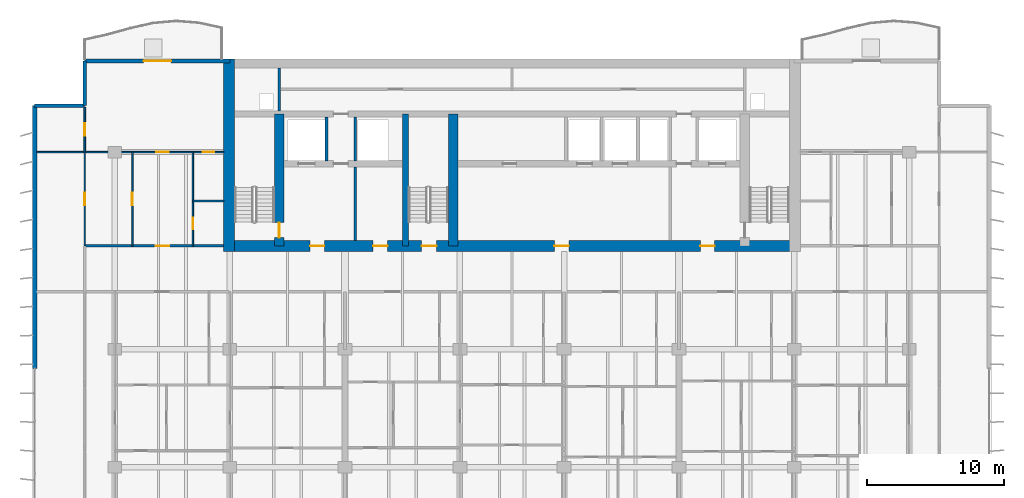
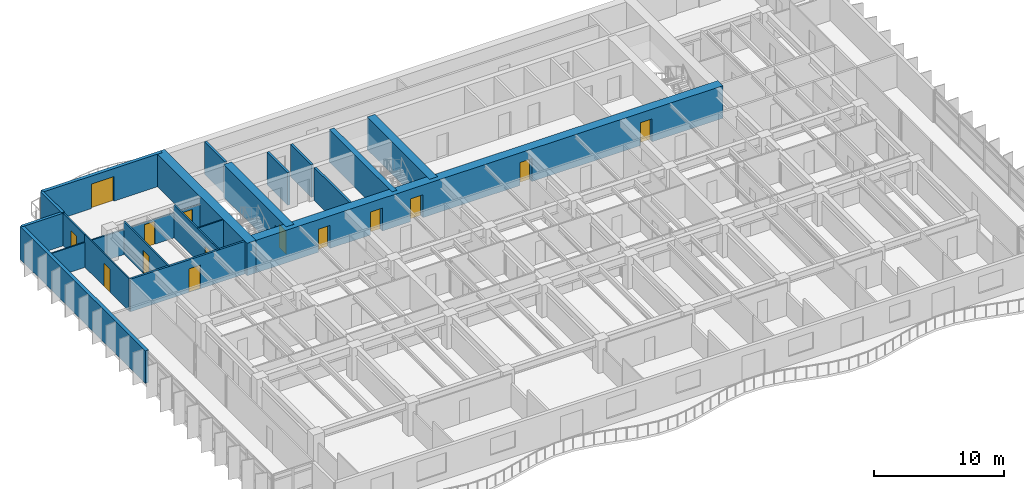
# One storey, part 12 of 19: 20 walls, 14 doors, 14 openings.
"""IFC4 building model written with IfcOpenShell, lengths in metres."""

from ifc_helpers import new_model, si_unit, direction, frame, frame_2d, origin, place, context, subcontext, project, spatial, rectangle, extrude, material, layer, layer_set, type_object, element, fill, save


model = new_model("IFC4")

# Units and contexts
model_context = context("Model", 3, precision=1e-05, world=origin(), true_north=direction((0.0, 1.0)))
body_context = subcontext(model_context, "Body", "Model", "MODEL_VIEW")
ifc_project = project(units=[si_unit("LENGTHUNIT", "METRE"), si_unit("AREAUNIT", "SQUARE_METRE"), si_unit("VOLUMEUNIT", "CUBIC_METRE"), si_unit("PLANEANGLEUNIT", "RADIAN"), si_unit("MASSUNIT", "GRAM", prefix="KILO")], contexts=[model_context])

# Site, building, storey
site_placement = place(None, origin())
site = spatial("IfcSite", under=ifc_project, at=site_placement, CompositionType="ELEMENT")
building_placement = place(site_placement, origin())
building = spatial("IfcBuilding", under=site, at=building_placement, Name="Caelmar Bay Residences", CompositionType="ELEMENT")
storey_placement = place(building_placement, frame((0.0, 0.0, 115.800048828125)))
storey = spatial("IfcBuildingStorey", under=building, at=storey_placement, Name="L31", CompositionType="ELEMENT", Elevation=115.800048828125)

# Wall, opening, door
ifc_material_1 = material(Name="Concrete f'c 55 MPa (8,000 psi)", Category="concrete")
ifc_layer_1 = layer(ifc_material_1, 0.699951171875)
ifc_layer_set_1 = layer_set([ifc_layer_1], Name="Concrete f'c 55 MPa (8,000 psi)")
wall_type_1 = type_object("IfcWallType", Name="SW-COR-700", PredefinedType="SHEAR", material=ifc_layer_set_1)
wall_1_placement = place(storey_placement, frame((21.89990234375, 36.949951171875, 0.0), z_axis=(0.0, 0.0, 1.0), x_axis=(0.0, 1.0, 0.0)))
wall_1 = element("IfcWall", 1, at=wall_1_placement, inside=storey, type_object=wall_type_1, Name="L31 Core Structural Web Wall ST1E", PredefinedType="SHEAR", context=body_context, shape_type="SweptSolid", body=[
    extrude(rectangle(XDim=9.625, YDim=0.699951171875, at=frame_2d((4.8125, 0.0))), origin(), (0.0, 0.0, 1.0), 3.050048828125),
])
opening_1_placement = place(wall_1_placement, frame((0.60009765625, 0.0, 0.0)))
opening_1 = element("IfcOpeningElement", 2, at=opening_1_placement, cuts=wall_1, Name="Opening D-L31-107", PredefinedType="OPENING", context=body_context, shape_type="SweptSolid", body=[
    extrude(rectangle(XDim=1.10009765625, YDim=2.14990234375, at=frame_2d((0.550048828125, 1.074951171875))), frame((0.0, 0.35986328125, 0.0), z_axis=(0.0, -1.0, 0.0), x_axis=(1.0, 0.0, 0.0)), (0.0, 0.0, 1.0), 0.719970703125),
])
ifc_material_2 = material(Name="Fire-rated steel and walnut architectural door assembly", Category="steel")
ifc_layer_2 = layer(ifc_material_2, 0.050048828125)
ifc_layer_set_2 = layer_set([ifc_layer_2], Name="Fire-rated steel and walnut architectural door assembly")
door_type_1 = type_object("IfcDoorType", Name="D-STAIR-1100", OperationType="NOTDEFINED", PredefinedType="DOOR", material=ifc_layer_set_2)
door_1_placement = place(opening_1_placement, origin())
door_1 = element("IfcDoor", 3, at=door_1_placement, inside=storey, type_object=door_type_1, Name="L31 Firefighting Lobby West Door", OperationType="SINGLE_SWING_RIGHT", OverallHeight=2.14990234375, OverallWidth=1.10009765625, PredefinedType="DOOR", context=body_context, shape_type="SweptSolid", body=[
    extrude(rectangle(XDim=1.10009765625, YDim=2.14990234375, at=frame_2d((0.550048828125, 1.074951171875))), frame((0.0, 0.02490234375, 0.0), z_axis=(0.0, -1.0, 0.0), x_axis=(1.0, 0.0, 0.0)), (0.0, 0.0, 1.0), 0.050048828125),
])
fill(opening_1, door_1)

# Wall
wall_2_placement = place(storey_placement, frame((34.60009765625, 36.949951171875, 0.0), z_axis=(0.0, 0.0, 1.0), x_axis=(0.0, 1.0, 0.0)))
element("IfcWall", 4, at=wall_2_placement, inside=storey, type_object=wall_type_1, Name="L31 Core Structural Web Wall ST3E", PredefinedType="SHEAR", context=body_context, shape_type="SweptSolid", body=[
    extrude(rectangle(XDim=9.625, YDim=0.699951171875, at=frame_2d((4.8125, 0.0))), origin(), (0.0, 0.0, 1.0), 3.050048828125),
])

# Wall, openings, doors
ifc_material_3 = material(Name="Concrete f'c 70 MPa (10,000 psi)", Category="concrete")
ifc_layer_3 = layer(ifc_material_3, 0.800048828125)
ifc_layer_set_3 = layer_set([ifc_layer_3], Name="Concrete f'c 70 MPa (10,000 psi)")
wall_type_2 = type_object("IfcWallType", Name="SW-COR-800", PredefinedType="SHEAR", material=ifc_layer_set_3)
wall_3_placement = place(storey_placement, frame((17.85009765625, 36.949951171875, 0.0), z_axis=(0.0, 0.0, 1.0), x_axis=(1.0, 0.0, 0.0)))
wall_3 = element("IfcWall", 5, at=wall_3_placement, inside=storey, type_object=wall_type_2, Name="L31 Rear Core South Shear Wall", PredefinedType="SHEAR", context=body_context, shape_type="SweptSolid", body=[
    extrude(rectangle(XDim=42.099853515625, YDim=0.800048828125, at=frame_2d((21.0498046875, 0.0))), origin(), (0.0, 0.0, 1.0), 3.050048828125),
])
opening_2_placement = place(wall_3_placement, frame((14.449951171875, 0.0, 0.0)))
opening_2 = element("IfcOpeningElement", 6, at=opening_2_placement, cuts=wall_3, Name="Opening D-L31-105", PredefinedType="OPENING", context=body_context, shape_type="SweptSolid", body=[
    extrude(rectangle(XDim=1.10009765625, YDim=2.14990234375, at=frame_2d((0.550048828125, 1.074951171875))), frame((0.0, 0.409912109375, 0.0), z_axis=(0.0, -1.0, 0.0), x_axis=(1.0, 0.0, 0.0)), (0.0, 0.0, 1.0), 0.820068359375),
])
opening_3_placement = place(wall_3_placement, frame((6.300048828125, 0.0, 0.0)))
opening_3 = element("IfcOpeningElement", 7, at=opening_3_placement, cuts=wall_3, Name="Opening D-L31-106", PredefinedType="OPENING", context=body_context, shape_type="SweptSolid", body=[
    extrude(rectangle(XDim=1.050048828125, YDim=2.14990234375, at=frame_2d((0.52490234375, 1.074951171875))), frame((0.0, 0.409912109375, 0.0), z_axis=(0.0, -1.0, 0.0), x_axis=(1.0, 0.0, 0.0)), (0.0, 0.0, 1.0), 0.820068359375),
])
opening_4_placement = place(wall_3_placement, frame((34.800048828125, 0.0, 0.0)))
opening_4 = element("IfcOpeningElement", 8, at=opening_4_placement, cuts=wall_3, Name="Opening D-L31-109", PredefinedType="OPENING", context=body_context, shape_type="SweptSolid", body=[
    extrude(rectangle(XDim=1.050048828125, YDim=2.14990234375, at=frame_2d((0.52490234375, 1.074951171875))), frame((0.0, 0.409912109375, 0.0), z_axis=(0.0, -1.0, 0.0), x_axis=(1.0, 0.0, 0.0)), (0.0, 0.0, 1.0), 0.820068359375),
])
opening_5_placement = place(wall_3_placement, frame((10.91259765625, 0.0, 0.0)))
opening_5 = element("IfcOpeningElement", 9, at=opening_5_placement, cuts=wall_3, Name="Opening D-L31-112", PredefinedType="OPENING", context=body_context, shape_type="SweptSolid", body=[
    extrude(rectangle(XDim=1.050048828125, YDim=2.14990234375, at=frame_2d((0.52490234375, 1.074951171875))), frame((0.0, 0.409912109375, 0.0), z_axis=(0.0, -1.0, 0.0), x_axis=(1.0, 0.0, 0.0)), (0.0, 0.0, 1.0), 0.820068359375),
])
opening_6_placement = place(wall_3_placement, frame((24.14990234375, 0.0, 0.0)))
opening_6 = element("IfcOpeningElement", 10, at=opening_6_placement, cuts=wall_3, Name="Opening D-L31-113", PredefinedType="OPENING", context=body_context, shape_type="SweptSolid", body=[
    extrude(rectangle(XDim=1.050048828125, YDim=2.14990234375, at=frame_2d((0.52490234375, 1.074951171875))), frame((0.0, 0.409912109375, 0.0), z_axis=(0.0, -1.0, 0.0), x_axis=(1.0, 0.0, 0.0)), (0.0, 0.0, 1.0), 0.820068359375),
])
ifc_layer_4 = layer(ifc_material_2, 0.050048828125)
ifc_layer_set_4 = layer_set([ifc_layer_4], Name="Fire-rated steel and walnut architectural door assembly")
door_type_2 = type_object("IfcDoorType", Name="D-FSAE-1050", OperationType="NOTDEFINED", PredefinedType="DOOR", material=ifc_layer_set_4)
door_2_placement = place(opening_3_placement, origin())
door_2 = element("IfcDoor", 11, at=door_2_placement, inside=storey, type_object=door_type_2, Name="L31 Firefighting Lobby West Door", OperationType="SINGLE_SWING_LEFT", OverallHeight=2.14990234375, OverallWidth=1.050048828125, PredefinedType="DOOR", context=body_context, shape_type="SweptSolid", body=[
    extrude(rectangle(XDim=1.050048828125, YDim=2.14990234375, at=frame_2d((0.52490234375, 1.074951171875))), frame((0.0, 0.02490234375, 0.0), z_axis=(0.0, -1.0, 0.0), x_axis=(1.0, 0.0, 0.0)), (0.0, 0.0, 1.0), 0.050048828125),
])
fill(opening_3, door_2)
door_3_placement = place(opening_4_placement, origin())
door_3 = element("IfcDoor", 12, at=door_3_placement, inside=storey, type_object=door_type_2, Name="L31 Firefighting Lobby East Door", OperationType="SINGLE_SWING_RIGHT", OverallHeight=2.14990234375, OverallWidth=1.050048828125, PredefinedType="DOOR", context=body_context, shape_type="SweptSolid", body=[
    extrude(rectangle(XDim=1.050048828125, YDim=2.14990234375, at=frame_2d((0.52490234375, 1.074951171875))), frame((0.0, 0.02490234375, 0.0), z_axis=(0.0, -1.0, 0.0), x_axis=(1.0, 0.0, 0.0)), (0.0, 0.0, 1.0), 0.050048828125),
])
fill(opening_4, door_3)
door_4_placement = place(opening_5_placement, origin())
door_4 = element("IfcDoor", 13, at=door_4_placement, inside=storey, type_object=door_type_2, Name="L31 West Lift Lobby Door", OperationType="SINGLE_SWING_LEFT", OverallHeight=2.14990234375, OverallWidth=1.050048828125, PredefinedType="DOOR", context=body_context, shape_type="SweptSolid", body=[
    extrude(rectangle(XDim=1.050048828125, YDim=2.14990234375, at=frame_2d((0.52490234375, 1.074951171875))), frame((0.0, 0.02490234375, 0.0), z_axis=(0.0, -1.0, 0.0), x_axis=(1.0, 0.0, 0.0)), (0.0, 0.0, 1.0), 0.050048828125),
])
fill(opening_5, door_4)
door_5_placement = place(opening_6_placement, origin())
door_5 = element("IfcDoor", 14, at=door_5_placement, inside=storey, type_object=door_type_2, Name="L31 Passenger Lift Lobby Door", OperationType="SINGLE_SWING_RIGHT", OverallHeight=2.14990234375, OverallWidth=1.050048828125, PredefinedType="DOOR", context=body_context, shape_type="SweptSolid", body=[
    extrude(rectangle(XDim=1.050048828125, YDim=2.14990234375, at=frame_2d((0.52490234375, 1.074951171875))), frame((0.0, 0.02490234375, 0.0), z_axis=(0.0, -1.0, 0.0), x_axis=(1.0, 0.0, 0.0)), (0.0, 0.0, 1.0), 0.050048828125),
])
fill(opening_6, door_5)
door_6_placement = place(opening_2_placement, origin())
door_6 = element("IfcDoor", 15, at=door_6_placement, inside=storey, type_object=door_type_1, Name="L31 Exit Stair ST3 Door", OperationType="SINGLE_SWING_RIGHT", OverallHeight=2.14990234375, OverallWidth=1.10009765625, PredefinedType="DOOR", context=body_context, shape_type="SweptSolid", body=[
    extrude(rectangle(XDim=1.10009765625, YDim=2.14990234375, at=frame_2d((0.550048828125, 1.074951171875))), frame((0.0, 0.02490234375, 0.0), z_axis=(0.0, -1.0, 0.0), x_axis=(1.0, 0.0, 0.0)), (0.0, 0.0, 1.0), 0.050048828125),
])
fill(opening_2, door_6)

# Walls
wall_4_placement = place(storey_placement, frame((18.25, 36.550048828125, 0.0), z_axis=(0.0, 0.0, 1.0), x_axis=(0.0, 1.0, 0.0)))
element("IfcWall", 16, at=wall_4_placement, inside=storey, type_object=wall_type_2, Name="L31 Rear Core West Shear Wall", PredefinedType="SHEAR", context=body_context, shape_type="SweptSolid", body=[
    extrude(rectangle(XDim=14.050048828125, YDim=0.800048828125, at=frame_2d((7.02490234375, 0.0))), origin(), (0.0, 0.0, 1.0), 3.050048828125),
])
ifc_layer_5 = layer(ifc_material_3, 0.449951171875)
ifc_layer_set_5 = layer_set([ifc_layer_5], Name="Concrete f'c 70 MPa (10,000 psi)")
wall_type_3 = type_object("IfcWallType", Name="SW-WEB-450", PredefinedType="SHEAR", material=ifc_layer_set_5)
wall_5_placement = place(storey_placement, frame((31.125, 36.949951171875, 0.0), z_axis=(0.0, 0.0, 1.0), x_axis=(0.0, 1.0, 0.0)))
element("IfcWall", 17, at=wall_5_placement, inside=storey, type_object=wall_type_3, Name="L31 Core Structural Web Wall ST3W", PredefinedType="SHEAR", context=body_context, shape_type="SweptSolid", body=[
    extrude(rectangle(XDim=9.625, YDim=0.449951171875, at=frame_2d((4.8125, 0.0))), origin(), (0.0, 0.0, 1.0), 3.050048828125),
])

# Wall, opening, door
ifc_material_4 = material(Name="Double-stud acoustic fire-rated gypsum partition 180 mm")
ifc_layer_6 = layer(ifc_material_4, 0.179931640625)
ifc_layer_set_6 = layer_set([ifc_layer_6], Name="Double-stud acoustic fire-rated gypsum partition 180 mm")
wall_type_4 = type_object("IfcWallType", Name="W-COR-200", PredefinedType="PARTITIONING", material=ifc_layer_set_6)
wall_6_placement = place(storey_placement, frame((7.699951171875, 36.949951171875, 0.0), z_axis=(0.0, 0.0, 1.0), x_axis=(1.0, 0.0, 0.0)))
wall_6 = element("IfcWall", 18, at=wall_6_placement, inside=storey, type_object=wall_type_4, Name="L31 Partition Wall H144", PredefinedType="PARTITIONING", context=body_context, shape_type="SweptSolid", body=[
    extrude(rectangle(XDim=10.14501953125, YDim=0.179931640625, at=frame_2d((5.072509765625, 0.0))), origin(), (0.0, 0.0, 1.0), 3.050048828125),
])
opening_7_placement = place(wall_6_placement, frame((5.18798828125, 0.0, 0.0)))
opening_7 = element("IfcOpeningElement", 19, at=opening_7_placement, cuts=wall_6, Name="Opening D-L31-165", PredefinedType="OPENING", context=body_context, shape_type="SweptSolid", body=[
    extrude(rectangle(XDim=1.0, YDim=2.199951171875, at=frame_2d((0.5, 1.10009765625))), frame((0.0, 0.099853515625, 0.0), z_axis=(0.0, -1.0, 0.0), x_axis=(1.0, 0.0, 0.0)), (0.0, 0.0, 1.0), 0.199951171875),
])
ifc_layer_7 = layer(ifc_material_2, 0.050048828125)
ifc_layer_set_7 = layer_set([ifc_layer_7], Name="Fire-rated steel and walnut architectural door assembly")
door_type_3 = type_object("IfcDoorType", Name="D-UNIT-1000", OperationType="NOTDEFINED", PredefinedType="DOOR", material=ifc_layer_set_7)
door_7_placement = place(opening_7_placement, origin())
door_7 = element("IfcDoor", 20, at=door_7_placement, inside=storey, type_object=door_type_3, Name="L31 Residence WA Kitchen Door", OperationType="SINGLE_SWING_RIGHT", OverallHeight=2.199951171875, OverallWidth=1.0, PredefinedType="DOOR", context=body_context, shape_type="SweptSolid", body=[
    extrude(rectangle(XDim=1.0, YDim=2.199951171875, at=frame_2d((0.5, 1.10009765625))), frame((0.0, 0.02490234375, 0.0), z_axis=(0.0, -1.0, 0.0), x_axis=(1.0, 0.0, 0.0)), (0.0, 0.0, 1.0), 0.050048828125),
])
fill(opening_7, door_7)

# Walls
ifc_material_5 = material(Name="Precast concrete f'c 40 MPa (6,000 psi)", Category="concrete")
ifc_layer_8 = layer(ifc_material_5, 0.25)
ifc_layer_set_8 = layer_set([ifc_layer_8], Name="Precast concrete f'c 40 MPa (6,000 psi)")
wall_type_5 = type_object("IfcWallType", Name="W-EXT-250", PredefinedType="ELEMENTEDWALL", material=ifc_layer_set_8)
wall_7_placement = place(storey_placement, frame((4.050048828125, 47.199951171875, 0.0), z_axis=(0.0, 0.0, 1.0), x_axis=(1.0, 0.0, 0.0)))
element("IfcWall", 21, at=wall_7_placement, inside=storey, type_object=wall_type_5, Name="L31 NNW-H Notch Wall", PredefinedType="ELEMENTEDWALL", context=body_context, shape_type="SweptSolid", body=[
    extrude(rectangle(XDim=3.64990234375, YDim=0.25, at=frame_2d((1.824951171875, 0.0))), origin(), (0.0, 0.0, 1.0), 3.050048828125),
])
wall_8_placement = place(storey_placement, frame((7.699951171875, 47.199951171875, 0.0), z_axis=(0.0, 0.0, 1.0), x_axis=(0.0, 1.0, 0.0)))
element("IfcWall", 22, at=wall_8_placement, inside=storey, type_object=wall_type_5, Name="L31 NNW-V Notch Wall", PredefinedType="ELEMENTEDWALL", context=body_context, shape_type="SweptSolid", body=[
    extrude(rectangle(XDim=3.25, YDim=0.25, at=frame_2d((1.625, 0.0))), origin(), (0.0, 0.0, 1.0), 3.050048828125),
])
ifc_layer_9 = layer(ifc_material_5, 0.300048828125)
ifc_layer_set_9 = layer_set([ifc_layer_9], Name="Precast concrete f'c 40 MPa (6,000 psi)")
wall_type_6 = type_object("IfcWallType", Name="W-EXT-300", PredefinedType="STANDARD", material=ifc_layer_set_9)
wall_9_placement = place(storey_placement, frame((4.050048828125, 28.0, 0.0), z_axis=(0.0, 0.0, 1.0), x_axis=(0.0, 1.0, 0.0)))
element("IfcWall", 23, at=wall_9_placement, inside=storey, type_object=wall_type_6, Name="L31 West Rear Exterior Wall", PredefinedType="STANDARD", context=body_context, shape_type="SweptSolid", body=[
    extrude(rectangle(XDim=19.199951171875, YDim=0.300048828125, at=frame_2d((9.60009765625, 0.0))), origin(), (0.0, 0.0, 1.0), 3.050048828125),
])

# Wall, opening, door
wall_10_placement = place(storey_placement, frame((7.699951171875, 50.449951171875, 0.0), z_axis=(0.0, 0.0, 1.0), x_axis=(1.0, 0.0, 0.0)))
wall_10 = element("IfcWall", 24, at=wall_10_placement, inside=storey, type_object=wall_type_6, Name="L31 North-West Wing Exterior Wall", PredefinedType="STANDARD", context=body_context, shape_type="SweptSolid", body=[
    extrude(rectangle(XDim=10.60009765625, YDim=0.300048828125, at=frame_2d((5.300048828125, 0.0))), origin(), (0.0, 0.0, 1.0), 3.050048828125),
])
opening_8_placement = place(wall_10_placement, frame((4.300048828125, 0.0, 0.0)))
opening_8 = element("IfcOpeningElement", 25, at=opening_8_placement, cuts=wall_10, Name="Opening L31-BDNW", PredefinedType="OPENING", context=body_context, shape_type="SweptSolid", body=[
    extrude(rectangle(XDim=2.0, YDim=2.300048828125, at=frame_2d((1.0, 1.14990234375))), frame((0.0, 0.159912109375, 0.0), z_axis=(0.0, -1.0, 0.0), x_axis=(1.0, 0.0, 0.0)), (0.0, 0.0, 1.0), 0.320068359375),
])
ifc_material_6 = material(Name="Anodised bronze thermally broken sliding glass door", Category="glass")
ifc_layer_10 = layer(ifc_material_6, 0.050048828125)
ifc_layer_set_10 = layer_set([ifc_layer_10], Name="Anodised bronze thermally broken sliding glass door")
door_type_4 = type_object("IfcDoorType", Name="D-BAL-2000", OperationType="DOUBLE_DOOR_SLIDING", PredefinedType="DOOR", material=ifc_layer_set_10)
door_8_placement = place(opening_8_placement, origin())
door_8 = element("IfcDoor", 26, at=door_8_placement, inside=storey, type_object=door_type_4, Name="L31 North-West Balcony Door", OperationType="DOUBLE_DOOR_SLIDING", OverallHeight=2.300048828125, OverallWidth=2.0, PredefinedType="DOOR", context=body_context, shape_type="SweptSolid", body=[
    extrude(rectangle(XDim=2.0, YDim=2.300048828125, at=frame_2d((1.0, 1.14990234375))), frame((0.0, 0.02490234375, 0.0), z_axis=(0.0, -1.0, 0.0), x_axis=(1.0, 0.0, 0.0)), (0.0, 0.0, 1.0), 0.050048828125),
])
fill(opening_8, door_8)

# Walls
ifc_material_7 = material(Name="Fire-rated masonry and gypsum shaftliner assembly 200 mm", Category="masonry")
ifc_layer_11 = layer(ifc_material_7, 0.199951171875)
ifc_layer_set_11 = layer_set([ifc_layer_11], Name="Fire-rated masonry and gypsum shaftliner assembly 200 mm")
wall_type_7 = type_object("IfcWallType", Name="W-FSAE-200", PredefinedType="PARTITIONING", material=ifc_layer_set_11)
wall_11_placement = place(storey_placement, frame((21.89990234375, 46.794921875, 0.0), z_axis=(0.0, 0.0, 1.0), x_axis=(0.0, 1.0, 0.0)))
element("IfcWall", 27, at=wall_11_placement, inside=storey, type_object=wall_type_7, Name="L31 Partition Wall V031", PredefinedType="PARTITIONING", context=body_context, shape_type="SweptSolid", body=[
    extrude(rectangle(XDim=3.16015625, YDim=0.199951171875, at=frame_2d((1.580078125, 0.0))), origin(), (0.0, 0.0, 1.0), 3.050048828125),
])
wall_12_placement = place(storey_placement, frame((25.35009765625, 43.169921875, 0.0), z_axis=(0.0, 0.0, 1.0), x_axis=(0.0, 1.0, 0.0)))
element("IfcWall", 28, at=wall_12_placement, inside=storey, type_object=wall_type_7, Name="L31 Partition Wall V035", PredefinedType="PARTITIONING", context=body_context, shape_type="SweptSolid", body=[
    extrude(rectangle(XDim=3.18505859375, YDim=0.199951171875, at=frame_2d((1.592529296875, 0.0))), origin(), (0.0, 0.0, 1.0), 3.050048828125),
])
wall_13_placement = place(storey_placement, frame((27.449951171875, 37.344970703125, 0.0), z_axis=(0.0, 0.0, 1.0), x_axis=(0.0, 1.0, 0.0)))
element("IfcWall", 29, at=wall_13_placement, inside=storey, type_object=wall_type_7, Name="L31 Partition Wall V039", PredefinedType="PARTITIONING", context=body_context, shape_type="SweptSolid", body=[
    extrude(rectangle(XDim=5.385009765625, YDim=0.199951171875, at=frame_2d((2.6923828125, 0.0))), origin(), (0.0, 0.0, 1.0), 3.050048828125),
])
wall_14_placement = place(storey_placement, frame((27.449951171875, 43.169921875, 0.0), z_axis=(0.0, 0.0, 1.0), x_axis=(0.0, 1.0, 0.0)))
element("IfcWall", 30, at=wall_14_placement, inside=storey, type_object=wall_type_7, Name="L31 Partition Wall V040", PredefinedType="PARTITIONING", context=body_context, shape_type="SweptSolid", body=[
    extrude(rectangle(XDim=3.18505859375, YDim=0.199951171875, at=frame_2d((1.592529296875, 0.0))), origin(), (0.0, 0.0, 1.0), 3.050048828125),
])

# Wall, opening, door
ifc_material_8 = material(Name="Anodised bronze framed acoustic sliding study partition 100 mm")
ifc_layer_12 = layer(ifc_material_8, 0.10009765625)
ifc_layer_set_12 = layer_set([ifc_layer_12], Name="Anodised bronze framed acoustic sliding study partition 100 mm")
wall_type_8 = type_object("IfcWallType", Name="W-MOV-100", PredefinedType="MOVABLE", material=ifc_layer_set_12)
wall_15_placement = place(storey_placement, frame((7.699951171875, 36.955078125, 0.0), z_axis=(0.0, 0.0, 1.0), x_axis=(0.0, 1.0, 0.0)))
wall_15 = element("IfcWall", 31, at=wall_15_placement, inside=storey, type_object=wall_type_8, Name="L31 Partition Wall V008", PredefinedType="MOVABLE", context=body_context, shape_type="SweptSolid", body=[
    extrude(rectangle(XDim=6.844970703125, YDim=0.10009765625, at=frame_2d((3.42236328125, 0.0))), origin(), (0.0, 0.0, 1.0), 3.050048828125),
])
opening_9_placement = place(wall_15_placement, frame((2.972412109375, 0.0, 0.0)))
opening_9 = element("IfcOpeningElement", 32, at=opening_9_placement, cuts=wall_15, Name="Opening D-L31-169", PredefinedType="OPENING", context=body_context, shape_type="SweptSolid", body=[
    extrude(rectangle(XDim=0.89990234375, YDim=2.14990234375, at=frame_2d((0.449951171875, 1.074951171875))), frame((0.0, 0.06005859375, 0.0), z_axis=(0.0, -1.0, 0.0), x_axis=(1.0, 0.0, 0.0)), (0.0, 0.0, 1.0), 0.1201171875),
])
ifc_material_9 = material(Name="Solid walnut timber interior door leaf and frame", Category="wood")
ifc_layer_13 = layer(ifc_material_9, 0.050048828125)
ifc_layer_set_13 = layer_set([ifc_layer_13], Name="Solid walnut timber interior door leaf and frame")
door_type_5 = type_object("IfcDoorType", Name="D-ROOM-900", OperationType="NOTDEFINED", PredefinedType="DOOR", material=ifc_layer_set_13)
door_9_placement = place(opening_9_placement, origin())
door_9 = element("IfcDoor", 33, at=door_9_placement, inside=storey, type_object=door_type_5, Name="L31 Residence WA Sun Study Door", OperationType="SINGLE_SWING_RIGHT", OverallHeight=2.14990234375, OverallWidth=0.89990234375, PredefinedType="DOOR", context=body_context, shape_type="SweptSolid", body=[
    extrude(rectangle(XDim=0.89990234375, YDim=2.14990234375, at=frame_2d((0.449951171875, 1.074951171875))), frame((0.0, 0.02490234375, 0.0), z_axis=(0.0, -1.0, 0.0), x_axis=(1.0, 0.0, 0.0)), (0.0, 0.0, 1.0), 0.050048828125),
])
fill(opening_9, door_9)

ifc_material_10 = material(Name="Acoustic metal-stud gypsum partition 120 mm")
ifc_layer_14 = layer(ifc_material_10, 0.1201171875)
ifc_layer_set_14 = layer_set([ifc_layer_14], Name="Acoustic metal-stud gypsum partition 120 mm")
wall_type_9 = type_object("IfcWallType", Name="W-PRT-120", PredefinedType="PARTITIONING", material=ifc_layer_set_14)
wall_16_placement = place(storey_placement, frame((7.699951171875, 43.804931640625, 0.0), z_axis=(0.0, 0.0, 1.0), x_axis=(0.0, 1.0, 0.0)))
wall_16 = element("IfcWall", 34, at=wall_16_placement, inside=storey, type_object=wall_type_9, Name="L31 Partition Wall V009", PredefinedType="PARTITIONING", context=body_context, shape_type="SweptSolid", body=[
    extrude(rectangle(XDim=3.275146484375, YDim=0.1201171875, at=frame_2d((1.6376953125, 0.0))), origin(), (0.0, 0.0, 1.0), 3.050048828125),
])
opening_10_placement = place(wall_16_placement, frame((1.1875, 0.0, 0.0)))
opening_10 = element("IfcOpeningElement", 35, at=opening_10_placement, cuts=wall_16, Name="Opening D-L31-170", PredefinedType="OPENING", context=body_context, shape_type="SweptSolid", body=[
    extrude(rectangle(XDim=0.89990234375, YDim=2.14990234375, at=frame_2d((0.449951171875, 1.074951171875))), frame((0.0, 0.070068359375, 0.0), z_axis=(0.0, -1.0, 0.0), x_axis=(1.0, 0.0, 0.0)), (0.0, 0.0, 1.0), 0.14013671875),
])
door_10_placement = place(opening_10_placement, origin())
door_10 = element("IfcDoor", 36, at=door_10_placement, inside=storey, type_object=door_type_5, Name="L31 Residence WA North Sitting Alcove Door", OperationType="SINGLE_SWING_LEFT", OverallHeight=2.14990234375, OverallWidth=0.89990234375, PredefinedType="DOOR", context=body_context, shape_type="SweptSolid", body=[
    extrude(rectangle(XDim=0.89990234375, YDim=2.14990234375, at=frame_2d((0.449951171875, 1.074951171875))), frame((0.0, 0.02490234375, 0.0), z_axis=(0.0, -1.0, 0.0), x_axis=(1.0, 0.0, 0.0)), (0.0, 0.0, 1.0), 0.050048828125),
])
fill(opening_10, door_10)

wall_17_placement = place(storey_placement, frame((11.176025390625, 36.949951171875, 0.0), z_axis=(0.0, 0.0, 1.0), x_axis=(0.0, 1.0, 0.0)))
wall_17 = element("IfcWall", 37, at=wall_17_placement, inside=storey, type_object=wall_type_9, Name="L31 Partition Wall V017", PredefinedType="PARTITIONING", context=body_context, shape_type="SweptSolid", body=[
    extrude(rectangle(XDim=6.85009765625, YDim=0.1201171875, at=frame_2d((3.425048828125, 0.0))), origin(), (0.0, 0.0, 1.0), 3.050048828125),
])
opening_11_placement = place(wall_17_placement, frame((2.97509765625, 0.0, 0.0)))
opening_11 = element("IfcOpeningElement", 38, at=opening_11_placement, cuts=wall_17, Name="Opening D-L31-164", PredefinedType="OPENING", context=body_context, shape_type="SweptSolid", body=[
    extrude(rectangle(XDim=0.89990234375, YDim=2.14990234375, at=frame_2d((0.449951171875, 1.074951171875))), frame((0.0, 0.070068359375, 0.0), z_axis=(0.0, -1.0, 0.0), x_axis=(1.0, 0.0, 0.0)), (0.0, 0.0, 1.0), 0.14013671875),
])
door_11_placement = place(opening_11_placement, origin())
door_11 = element("IfcDoor", 39, at=door_11_placement, inside=storey, type_object=door_type_5, Name="L31 Residence WA Dining Room Door", OperationType="SINGLE_SWING_LEFT", OverallHeight=2.14990234375, OverallWidth=0.89990234375, PredefinedType="DOOR", context=body_context, shape_type="SweptSolid", body=[
    extrude(rectangle(XDim=0.89990234375, YDim=2.14990234375, at=frame_2d((0.449951171875, 1.074951171875))), frame((0.0, 0.02490234375, 0.0), z_axis=(0.0, -1.0, 0.0), x_axis=(1.0, 0.0, 0.0)), (0.0, 0.0, 1.0), 0.050048828125),
])
fill(opening_11, door_11)

wall_18_placement = place(storey_placement, frame((15.60009765625, 36.949951171875, 0.0), z_axis=(0.0, 0.0, 1.0), x_axis=(0.0, 1.0, 0.0)))
wall_18 = element("IfcWall", 40, at=wall_18_placement, inside=storey, type_object=wall_type_9, Name="L31 Partition Wall V021", PredefinedType="PARTITIONING", context=body_context, shape_type="SweptSolid", body=[
    extrude(rectangle(XDim=6.85009765625, YDim=0.1201171875, at=frame_2d((3.425048828125, 0.0))), origin(), (0.0, 0.0, 1.0), 3.050048828125),
])
opening_12_placement = place(wall_18_placement, frame((1.218994140625, 0.0, 0.0)))
opening_12 = element("IfcOpeningElement", 41, at=opening_12_placement, cuts=wall_18, Name="Opening D-L31-167", PredefinedType="OPENING", context=body_context, shape_type="SweptSolid", body=[
    extrude(rectangle(XDim=0.85009765625, YDim=2.10009765625, at=frame_2d((0.425048828125, 1.050048828125))), frame((0.0, 0.070068359375, 0.0), z_axis=(0.0, -1.0, 0.0), x_axis=(1.0, 0.0, 0.0)), (0.0, 0.0, 1.0), 0.14013671875),
])
ifc_layer_15 = layer(ifc_material_9, 0.050048828125)
ifc_layer_set_15 = layer_set([ifc_layer_15], Name="Solid walnut timber interior door leaf and frame")
door_type_6 = type_object("IfcDoorType", Name="D-BATH-850", OperationType="NOTDEFINED", PredefinedType="DOOR", material=ifc_layer_set_15)
door_12_placement = place(opening_12_placement, origin())
door_12 = element("IfcDoor", 42, at=door_12_placement, inside=storey, type_object=door_type_6, Name="L31 Residence WA Walk-In Closet Door", OperationType="SINGLE_SWING_RIGHT", OverallHeight=2.10009765625, OverallWidth=0.85009765625, PredefinedType="DOOR", context=body_context, shape_type="SweptSolid", body=[
    extrude(rectangle(XDim=0.85009765625, YDim=2.10009765625, at=frame_2d((0.425048828125, 1.050048828125))), frame((0.0, 0.02490234375, 0.0), z_axis=(0.0, -1.0, 0.0), x_axis=(1.0, 0.0, 0.0)), (0.0, 0.0, 1.0), 0.050048828125),
])
fill(opening_12, door_12)

# Wall
wall_19_placement = place(storey_placement, frame((15.60009765625, 40.238037109375, 0.0), z_axis=(0.0, 0.0, 1.0), x_axis=(1.0, 0.0, 0.0)))
element("IfcWall", 43, at=wall_19_placement, inside=storey, type_object=wall_type_9, Name="L31 Partition Wall H146", PredefinedType="PARTITIONING", context=body_context, shape_type="SweptSolid", body=[
    extrude(rectangle(XDim=2.2548828125, YDim=0.1201171875, at=frame_2d((1.12744140625, 0.0))), origin(), (0.0, 0.0, 1.0), 3.050048828125),
])

# Wall, openings, doors
wall_20_placement = place(storey_placement, frame((4.195068359375, 43.800048828125, 0.0), z_axis=(0.0, 0.0, 1.0), x_axis=(1.0, 0.0, 0.0)))
wall_20 = element("IfcWall", 44, at=wall_20_placement, inside=storey, type_object=wall_type_9, Name="L31 Partition Wall H148", PredefinedType="PARTITIONING", context=body_context, shape_type="SweptSolid", body=[
    extrude(rectangle(XDim=13.659912109375, YDim=0.1201171875, at=frame_2d((6.830078125, 0.0))), origin(), (0.0, 0.0, 1.0), 2.3388671875),
])
opening_13_placement = place(wall_20_placement, frame((8.742919921875, 0.0, 0.0)))
opening_13 = element("IfcOpeningElement", 45, at=opening_13_placement, cuts=wall_20, Name="Opening D-L31-166", PredefinedType="OPENING", context=body_context, shape_type="SweptSolid", body=[
    extrude(rectangle(XDim=0.89990234375, YDim=2.14990234375, at=frame_2d((0.449951171875, 1.074951171875))), frame((0.0, 0.070068359375, 0.0), z_axis=(0.0, -1.0, 0.0), x_axis=(1.0, 0.0, 0.0)), (0.0, 0.0, 1.0), 0.14013671875),
])
opening_14_placement = place(wall_20_placement, frame((12.107421875, 0.0, 0.0)))
opening_14 = element("IfcOpeningElement", 46, at=opening_14_placement, cuts=wall_20, Name="Opening D-L31-168", PredefinedType="OPENING", context=body_context, shape_type="SweptSolid", body=[
    extrude(rectangle(XDim=0.85009765625, YDim=2.10009765625, at=frame_2d((0.425048828125, 1.050048828125))), frame((0.0, 0.070068359375, 0.0), z_axis=(0.0, -1.0, 0.0), x_axis=(1.0, 0.0, 0.0)), (0.0, 0.0, 1.0), 0.14013671875),
])
door_13_placement = place(opening_14_placement, origin())
door_13 = element("IfcDoor", 47, at=door_13_placement, inside=storey, type_object=door_type_6, Name="L31 Residence WA Bathroom Door", OperationType="SINGLE_SWING_LEFT", OverallHeight=2.10009765625, OverallWidth=0.85009765625, PredefinedType="DOOR", context=body_context, shape_type="SweptSolid", body=[
    extrude(rectangle(XDim=0.85009765625, YDim=2.10009765625, at=frame_2d((0.425048828125, 1.050048828125))), frame((0.0, 0.02490234375, 0.0), z_axis=(0.0, -1.0, 0.0), x_axis=(1.0, 0.0, 0.0)), (0.0, 0.0, 1.0), 0.050048828125),
])
fill(opening_14, door_13)
door_14_placement = place(opening_13_placement, origin())
door_14 = element("IfcDoor", 48, at=door_14_placement, inside=storey, type_object=door_type_5, Name="L31 Residence WA Studio Living and Sleeping Room Door", OperationType="SINGLE_SWING_LEFT", OverallHeight=2.14990234375, OverallWidth=0.89990234375, PredefinedType="DOOR", context=body_context, shape_type="SweptSolid", body=[
    extrude(rectangle(XDim=0.89990234375, YDim=2.14990234375, at=frame_2d((0.449951171875, 1.074951171875))), frame((0.0, 0.02490234375, 0.0), z_axis=(0.0, -1.0, 0.0), x_axis=(1.0, 0.0, 0.0)), (0.0, 0.0, 1.0), 0.050048828125),
])
fill(opening_13, door_14)

save(model, "model.ifc")
